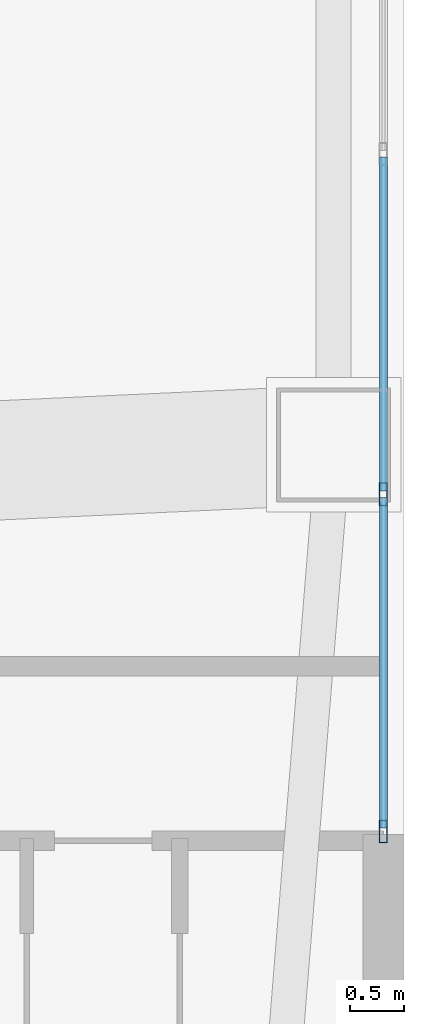
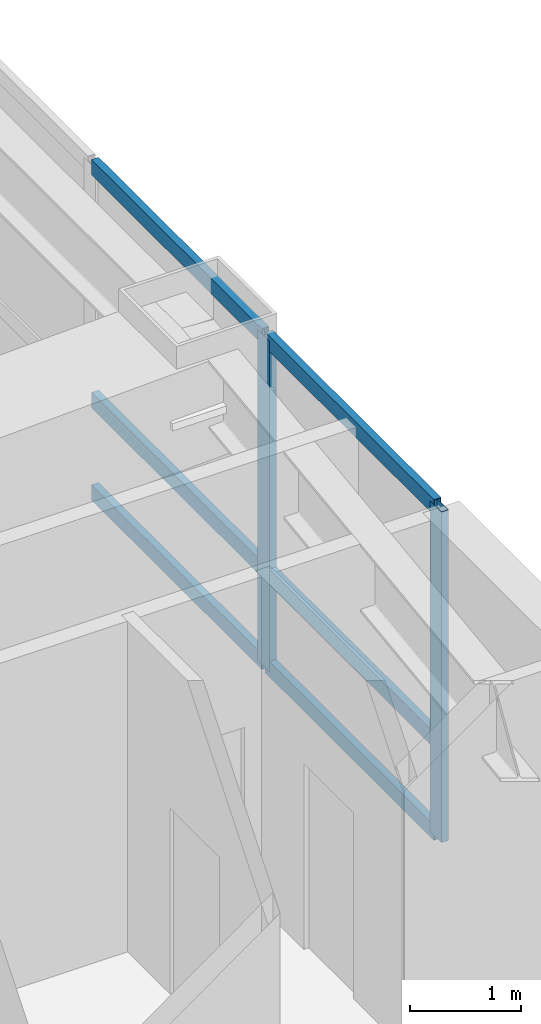
# One storey, part 2 of 16: 8 members, 1 element without a shape of its own.
"""IFC4 building model written with IfcOpenShell, lengths in metres."""

from ifc_helpers import new_model, si_unit, direction, frame, origin, origin_2d, place, context, subcontext, project, spatial, hollow_rectangle, extrude, material, layer, layer_set, material_profile, profile_set, type_object, element, aggregate, save


model = new_model("IFC4")

# Units and contexts
model_context = context("Model", 3, precision=1e-05, world=origin(), true_north=direction((0.0, 1.0)))
body_context = subcontext(model_context, "Body", "Model", "MODEL_VIEW")
ifc_project = project(units=[si_unit("LENGTHUNIT", "METRE"), si_unit("AREAUNIT", "SQUARE_METRE"), si_unit("VOLUMEUNIT", "CUBIC_METRE"), si_unit("PLANEANGLEUNIT", "RADIAN"), si_unit("MASSUNIT", "GRAM", prefix="KILO")], contexts=[model_context])

# Site, building, storey
site_placement = place(None, origin())
site = spatial("IfcSite", under=ifc_project, at=site_placement, CompositionType="ELEMENT")
building_placement = place(site_placement, origin())
building = spatial("IfcBuilding", under=site, at=building_placement, Name="Voryun Gate Residences", CompositionType="ELEMENT")
storey_placement = place(building_placement, frame((0.0, 0.0, 93.60009765625)))
storey = spatial("IfcBuildingStorey", under=building, at=storey_placement, Name="L22", CompositionType="ELEMENT", Elevation=93.60009765625)

# Curtain wall, members
ifc_material_1 = material(Name="Anodised aluminium", Category="aluminium")
ifc_layer = layer(ifc_material_1, 0.2099609375, Name="CW_SYS_SKYGARDEN_DARK_GLASS")
ifc_layer_set = layer_set([ifc_layer], Name="Anodised aluminium")
curtain_wall_type = type_object("IfcCurtainWallType", Name="CW_SYS_SKYGARDEN_DARK_GLASS", PredefinedType="NOTDEFINED", material=ifc_layer_set)
curtain_wall_placement = place(storey_placement, origin())
curtain_wall = element("IfcCurtainWall", 1, at=curtain_wall_placement, inside=storey, type_object=curtain_wall_type, Name="Curtain wall CW5-L22-SG-16", PredefinedType="NOTDEFINED")
ifc_material_2 = material(Name="Anodised aluminium", Category="aluminium")
ifc_material_profile_1 = material_profile(ifc_material_2, hollow_rectangle(XDim=0.074951171875, YDim=0.2099609375, WallThickness=0.0048828125, at=origin_2d()), Name="ALU-MULL-210x75x5")
ifc_profile_set_1 = profile_set([ifc_material_profile_1], Name="Anodised aluminium")
member_type_1 = type_object("IfcMemberType", Name="CW_MULL_SKY", PredefinedType="MULLION", material=ifc_profile_set_1)
member_1_placement = place(storey_placement, frame((33.2099609375, -7.25439453125, 0.0), z_axis=(0.0, 0.0, 1.0), x_axis=(1.0, 0.0, 0.0)))
member_1 = element("IfcMember", 2, at=member_1_placement, type_object=member_type_1, Name="CW5 mullion 7", PredefinedType="MULLION", context=body_context, shape_type="SweptSolid", body=[
    extrude(hollow_rectangle(XDim=0.074951171875, YDim=0.2099609375, WallThickness=0.0048828125, at=origin_2d()), origin(), (0.0, 0.0, 1.0), 3.64990234375),
])
member_2_placement = place(storey_placement, frame((33.2099609375, -10.365966796875, 0.0), z_axis=(0.0, 0.0, 1.0), x_axis=(1.0, 0.0, 0.0)))
member_2 = element("IfcMember", 3, at=member_2_placement, type_object=member_type_1, Name="CW5 mullion 8", PredefinedType="MULLION", context=body_context, shape_type="SweptSolid", body=[
    extrude(hollow_rectangle(XDim=0.074951171875, YDim=0.2099609375, WallThickness=0.0048828125, at=origin_2d()), origin(), (0.0, 0.0, 1.0), 3.64990234375),
])
ifc_material_3 = material(Name="Anodised aluminium", Category="aluminium")
ifc_material_profile_2 = material_profile(ifc_material_3, hollow_rectangle(XDim=0.074951171875, YDim=0.169921875, WallThickness=0.0048828125, at=origin_2d()), Name="ALU-TRAN-170x75x5")
ifc_profile_set_2 = profile_set([ifc_material_profile_2], Name="Anodised aluminium")
member_type_2 = type_object("IfcMemberType", Name="CW_TRAN_SKY", PredefinedType="USERDEFINED", material=ifc_profile_set_2)
member_3_placement = place(storey_placement, frame((33.2099609375, -4.142578125, 0.02978515625), z_axis=(0.0, -1.0, 0.0), x_axis=(1.0, 0.0, 0.0)))
member_3 = element("IfcMember", 4, at=member_3_placement, type_object=member_type_2, Name="CW5 transom 6.1", ObjectType="TRANSOM", PredefinedType="USERDEFINED", context=body_context, shape_type="SweptSolid", body=[
    extrude(hollow_rectangle(XDim=0.074951171875, YDim=0.169921875, WallThickness=0.0048828125, at=origin_2d()), origin(), (0.0, 0.0, 1.0), 3.081787109375),
])
member_4_placement = place(storey_placement, frame((33.2099609375, -4.142578125, 1.0498046875), z_axis=(0.0, -1.0, 0.0), x_axis=(1.0, 0.0, 0.0)))
member_4 = element("IfcMember", 5, at=member_4_placement, type_object=member_type_2, Name="CW5 transom 6.2", ObjectType="TRANSOM", PredefinedType="USERDEFINED", context=body_context, shape_type="SweptSolid", body=[
    extrude(hollow_rectangle(XDim=0.074951171875, YDim=0.169921875, WallThickness=0.0048828125, at=origin_2d()), origin(), (0.0, 0.0, 1.0), 3.081787109375),
])
member_5_placement = place(storey_placement, frame((33.2099609375, -4.142578125, 3.619873046875), z_axis=(0.0, -1.0, 0.0), x_axis=(1.0, 0.0, 0.0)))
member_5 = element("IfcMember", 6, at=member_5_placement, type_object=member_type_2, Name="CW5 transom 6.3", ObjectType="TRANSOM", PredefinedType="USERDEFINED", context=body_context, shape_type="SweptSolid", body=[
    extrude(hollow_rectangle(XDim=0.074951171875, YDim=0.169921875, WallThickness=0.0048828125, at=origin_2d()), origin(), (0.0, 0.0, 1.0), 3.081787109375),
])
member_6_placement = place(storey_placement, frame((33.2099609375, -7.2841796875, 0.02978515625), z_axis=(0.0, -1.0, 0.0), x_axis=(1.0, 0.0, 0.0)))
member_6 = element("IfcMember", 7, at=member_6_placement, type_object=member_type_2, Name="CW5 transom 7.1", ObjectType="TRANSOM", PredefinedType="USERDEFINED", context=body_context, shape_type="SweptSolid", body=[
    extrude(hollow_rectangle(XDim=0.074951171875, YDim=0.169921875, WallThickness=0.0048828125, at=origin_2d()), origin(), (0.0, 0.0, 1.0), 3.0517578125),
])
member_7_placement = place(storey_placement, frame((33.2099609375, -7.2841796875, 1.0498046875), z_axis=(0.0, -1.0, 0.0), x_axis=(1.0, 0.0, 0.0)))
member_7 = element("IfcMember", 8, at=member_7_placement, type_object=member_type_2, Name="CW5 transom 7.2", ObjectType="TRANSOM", PredefinedType="USERDEFINED", context=body_context, shape_type="SweptSolid", body=[
    extrude(hollow_rectangle(XDim=0.074951171875, YDim=0.169921875, WallThickness=0.0048828125, at=origin_2d()), origin(), (0.0, 0.0, 1.0), 3.0517578125),
])
member_8_placement = place(storey_placement, frame((33.2099609375, -7.2841796875, 3.619873046875), z_axis=(0.0, -1.0, 0.0), x_axis=(1.0, 0.0, 0.0)))
member_8 = element("IfcMember", 9, at=member_8_placement, type_object=member_type_2, Name="CW5 transom 7.3", ObjectType="TRANSOM", PredefinedType="USERDEFINED", context=body_context, shape_type="SweptSolid", body=[
    extrude(hollow_rectangle(XDim=0.074951171875, YDim=0.169921875, WallThickness=0.0048828125, at=origin_2d()), origin(), (0.0, 0.0, 1.0), 3.0517578125),
])
aggregate(curtain_wall, [member_1, member_2, member_3, member_4, member_5, member_6, member_7, member_8])

save(model, "model.ifc")
